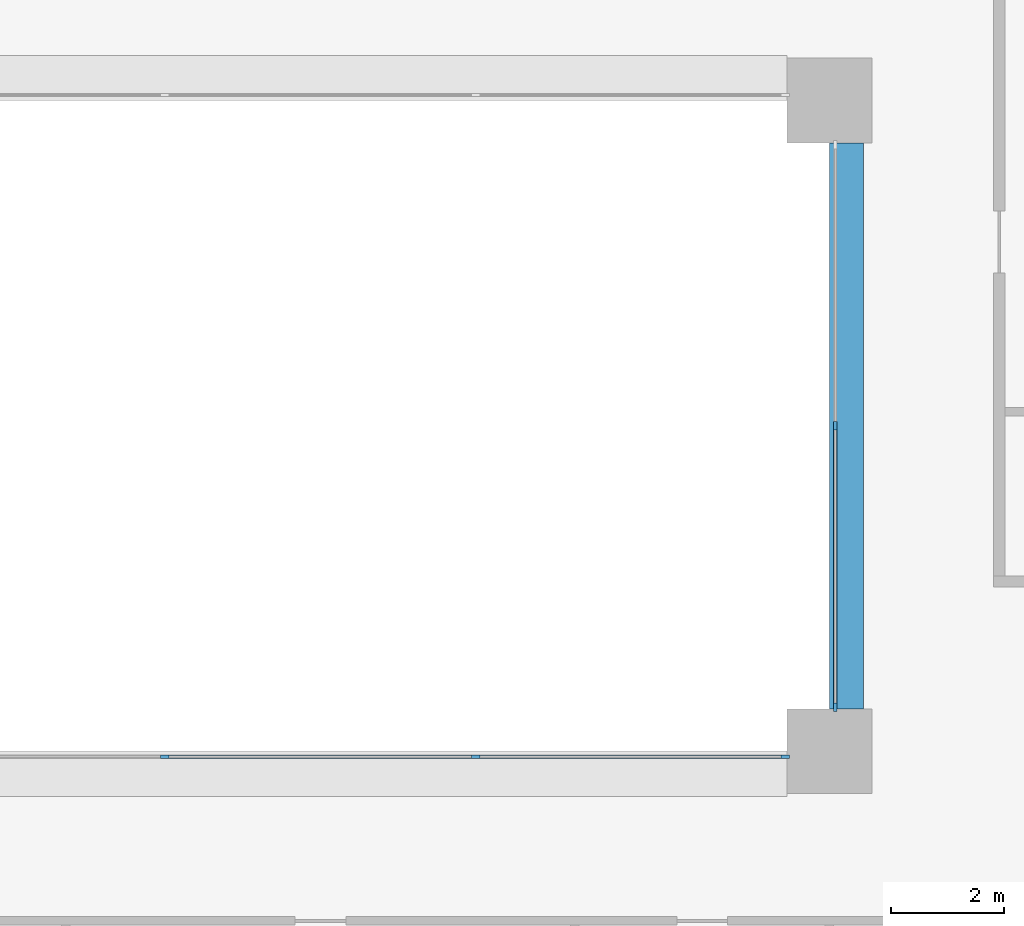
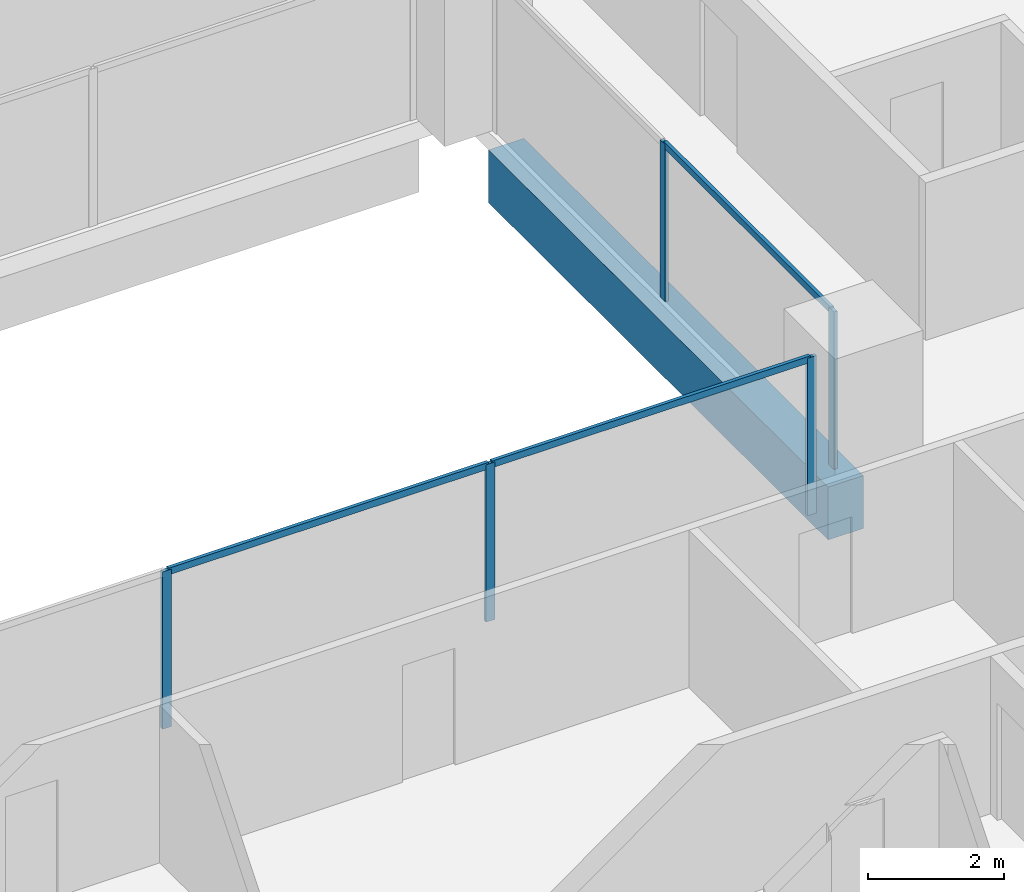
# One storey, part 4 of 20: 8 members, 1 beam, 2 elements without a shape of their own.
"""IFC4 building model written with IfcOpenShell, lengths in metres."""

from ifc_helpers import new_model, si_unit, direction, frame, origin, origin_2d, place, context, subcontext, project, spatial, rectangle, extrude, material, layer, layer_set, material_profile, profile_set, type_object, element, aggregate, save


model = new_model("IFC4")

# Units and contexts
model_context = context("Model", 3, precision=1e-05, world=origin(), true_north=direction((0.0, 1.0)))
body_context = subcontext(model_context, "Body", "Model", "MODEL_VIEW")
ifc_project = project(units=[si_unit("LENGTHUNIT", "METRE"), si_unit("AREAUNIT", "SQUARE_METRE"), si_unit("VOLUMEUNIT", "CUBIC_METRE"), si_unit("PLANEANGLEUNIT", "RADIAN"), si_unit("MASSUNIT", "GRAM", prefix="KILO")], contexts=[model_context])

# Site, building, storey
site_placement = place(None, origin())
site = spatial("IfcSite", under=ifc_project, at=site_placement, CompositionType="ELEMENT")
building_placement = place(site_placement, origin())
building = spatial("IfcBuilding", under=site, at=building_placement, Name="Brigalow Station Residences", CompositionType="ELEMENT")
storey_placement = place(building_placement, frame((0.0, 0.0, 44.699951171875)))
storey = spatial("IfcBuildingStorey", under=building, at=storey_placement, Name="L12", CompositionType="ELEMENT", Elevation=44.699951171875)

# Beam
ifc_material_1 = material(Name="Concrete C65", Category="concrete")
ifc_material_profile_1 = material_profile(ifc_material_1, rectangle(XDim=0.60009765625, YDim=0.949951171875, at=origin_2d()), Name="RC600x950")
ifc_profile_set_1 = profile_set([ifc_material_profile_1], Name="Concrete C65")
beam_type = type_object("IfcBeamType", Name="ATRIUM EDGE GIRDER 600x950 C65", PredefinedType="BEAM", material=ifc_profile_set_1)
beam_placement = place(storey_placement, frame((45.300048828125, 24.75, -0.794921875), z_axis=(0.0, 1.0, 0.0), x_axis=(-1.0, 0.0, 0.0)))
element("IfcBeam", 1, at=beam_placement, inside=storey, type_object=beam_type, Name="ATRIUM EDGE GIRDER 5 L12", PredefinedType="BEAM", context=body_context, shape_type="SweptSolid", body=[
    extrude(rectangle(XDim=0.60009765625, YDim=0.949951171875, at=origin_2d()), origin(), (0.0, 0.0, 1.0), 10.0),
])

# Curtain wall, members
ifc_material_2 = material(Name="Aluminium", Category="aluminium")
ifc_layer = layer(ifc_material_2, 0.14990234375)
ifc_layer_set = layer_set([ifc_layer], Name="ATRIUM FIRE-RATED GLAZING CURTAIN WALL")
curtain_wall_type = type_object("IfcCurtainWallType", Name="ATRIUM FIRE-RATED GLAZING CURTAIN WALL", PredefinedType="NOTDEFINED", material=ifc_layer_set)
curtain_wall_1_placement = place(storey_placement, origin())
curtain_wall_1 = element("IfcCurtainWall", 2, at=curtain_wall_1_placement, inside=storey, type_object=curtain_wall_type, Name="L12/cw/atrium-S", PredefinedType="NOTDEFINED")
ifc_material_3 = material(Name="Aluminium", Category="aluminium")
ifc_material_profile_2 = material_profile(ifc_material_3, rectangle(XDim=0.06005859375, YDim=0.14990234375, at=origin_2d()), Name="ATRIUM FIRE-RATED GLAZING MULLION 60x150")
ifc_profile_set_2 = profile_set([ifc_material_profile_2], Name="Aluminium")
member_type_1 = type_object("IfcMemberType", Name="ATRIUM FIRE-RATED GLAZING MULLION 60x150", PredefinedType="MULLION", material=ifc_profile_set_2)
member_1_placement = place(storey_placement, frame((33.25, 23.89990234375, 0.0), z_axis=(0.0, 0.0, 1.0), x_axis=(0.0, 1.0, 0.0)))
member_1 = element("IfcMember", 3, at=member_1_placement, type_object=member_type_1, Name="L12/cw/atrium-S/M01", PredefinedType="MULLION", context=body_context, shape_type="SweptSolid", body=[
    extrude(rectangle(XDim=0.06005859375, YDim=0.14990234375, at=origin_2d()), origin(), (0.0, 0.0, 1.0), 2.830078125),
])
member_2_placement = place(storey_placement, frame((38.75, 23.89990234375, 0.0), z_axis=(0.0, 0.0, 1.0), x_axis=(0.0, 1.0, 0.0)))
member_2 = element("IfcMember", 4, at=member_2_placement, type_object=member_type_1, Name="L12/cw/atrium-S/M02", PredefinedType="MULLION", context=body_context, shape_type="SweptSolid", body=[
    extrude(rectangle(XDim=0.06005859375, YDim=0.14990234375, at=origin_2d()), origin(), (0.0, 0.0, 1.0), 2.830078125),
])
member_3_placement = place(storey_placement, frame((44.219970703125, 23.89990234375, 0.0), z_axis=(0.0, 0.0, 1.0), x_axis=(0.0, 1.0, 0.0)))
member_3 = element("IfcMember", 5, at=member_3_placement, type_object=member_type_1, Name="L12/cw/atrium-S/M03", PredefinedType="MULLION", context=body_context, shape_type="SweptSolid", body=[
    extrude(rectangle(XDim=0.06005859375, YDim=0.14990234375, at=origin_2d()), origin(), (0.0, 0.0, 1.0), 2.830078125),
])

curtain_wall_2_placement = place(storey_placement, origin())
curtain_wall_2 = element("IfcCurtainWall", 6, at=curtain_wall_2_placement, inside=storey, type_object=curtain_wall_type, Name="L12/cw/atrium-E", PredefinedType="NOTDEFINED")
member_4_placement = place(storey_placement, frame((45.10009765625, 24.780029296875, 0.0), z_axis=(0.0, 0.0, 1.0), x_axis=(-1.0, 0.0, 0.0)))
member_4 = element("IfcMember", 7, at=member_4_placement, type_object=member_type_1, Name="L12/cw/atrium-E/M00", PredefinedType="MULLION", context=body_context, shape_type="SweptSolid", body=[
    extrude(rectangle(XDim=0.06005859375, YDim=0.14990234375, at=origin_2d()), origin(), (0.0, 0.0, 1.0), 2.830078125),
])
member_5_placement = place(storey_placement, frame((45.10009765625, 29.75, 0.0), z_axis=(0.0, 0.0, 1.0), x_axis=(-1.0, 0.0, 0.0)))
member_5 = element("IfcMember", 8, at=member_5_placement, type_object=member_type_1, Name="L12/cw/atrium-E/M01", PredefinedType="MULLION", context=body_context, shape_type="SweptSolid", body=[
    extrude(rectangle(XDim=0.06005859375, YDim=0.14990234375, at=origin_2d()), origin(), (0.0, 0.0, 1.0), 2.830078125),
])

# Member
ifc_material_4 = material(Name="Aluminium", Category="aluminium")
ifc_material_profile_3 = material_profile(ifc_material_4, rectangle(XDim=0.06005859375, YDim=0.1201171875, at=origin_2d()), Name="ATRIUM FIRE-RATED GLAZING TRANSOM 60x120")
ifc_profile_set_3 = profile_set([ifc_material_profile_3], Name="Aluminium")
member_type_2 = type_object("IfcMemberType", Name="ATRIUM FIRE-RATED GLAZING TRANSOM 60x120", PredefinedType="USERDEFINED", material=ifc_profile_set_3)
member_6_placement = place(storey_placement, frame((33.280029296875, 23.89990234375, 2.800048828125), z_axis=(1.0, 0.0, 0.0), x_axis=(0.0, 1.0, 0.0)))
member_6 = element("IfcMember", 9, at=member_6_placement, type_object=member_type_2, Name="L12/cw/atrium-S/T01-00", ObjectType="TRANSOM", PredefinedType="USERDEFINED", context=body_context, shape_type="SweptSolid", body=[
    extrude(rectangle(XDim=0.06005859375, YDim=0.1201171875, at=origin_2d()), origin(), (0.0, 0.0, 1.0), 5.43994140625),
])

member_7_placement = place(storey_placement, frame((38.780029296875, 23.89990234375, 2.800048828125), z_axis=(1.0, 0.0, 0.0), x_axis=(0.0, 1.0, 0.0)))
member_7 = element("IfcMember", 10, at=member_7_placement, type_object=member_type_2, Name="L12/cw/atrium-S/T02-00", ObjectType="TRANSOM", PredefinedType="USERDEFINED", context=body_context, shape_type="SweptSolid", body=[
    extrude(rectangle(XDim=0.06005859375, YDim=0.1201171875, at=origin_2d()), origin(), (0.0, 0.0, 1.0), 5.409912109375),
])

aggregate(curtain_wall_1, [member_1, member_2, member_3, member_6, member_7])

member_8_placement = place(storey_placement, frame((45.10009765625, 24.81005859375, 2.800048828125), z_axis=(0.0, 1.0, 0.0), x_axis=(-1.0, 0.0, 0.0)))
member_8 = element("IfcMember", 11, at=member_8_placement, type_object=member_type_2, Name="L12/cw/atrium-E/T00-00", ObjectType="TRANSOM", PredefinedType="USERDEFINED", context=body_context, shape_type="SweptSolid", body=[
    extrude(rectangle(XDim=0.06005859375, YDim=0.1201171875, at=origin_2d()), origin(), (0.0, 0.0, 1.0), 4.909912109375),
])

aggregate(curtain_wall_2, [member_4, member_5, member_8])

save(model, "model.ifc")
